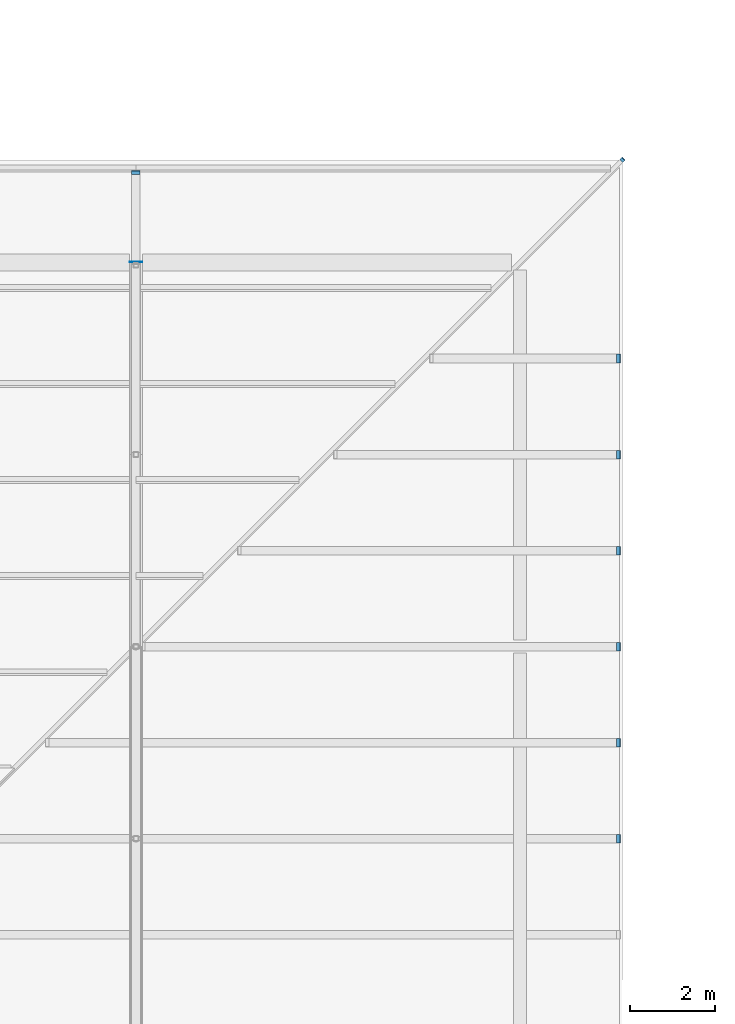
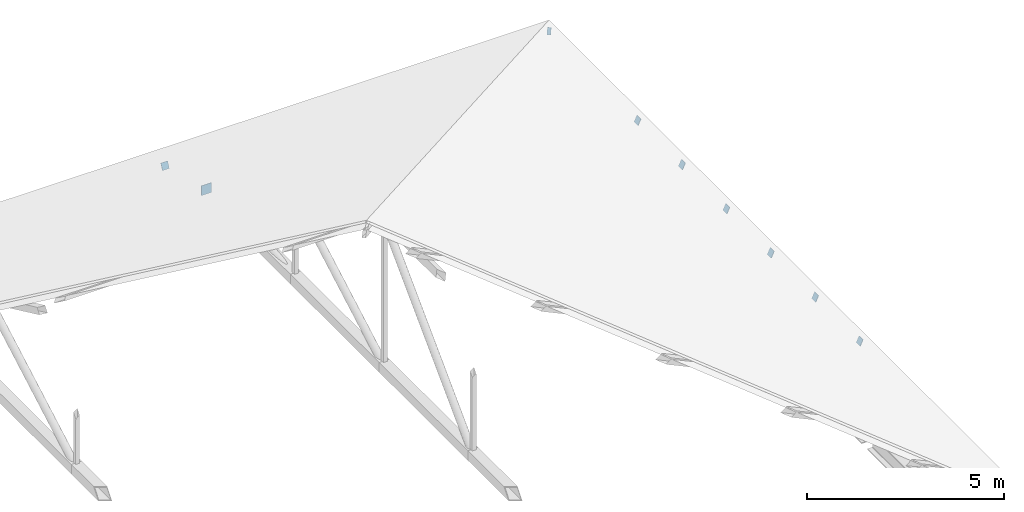
# One storey, part 135 of 154: 9 discrete accessories.
"""IFC4 building model written with IfcOpenShell, lengths in metres."""

from ifc_helpers import new_model, si_unit, direction, frame, origin, origin_2d, place, context, subcontext, project, spatial, rectangle, extrude, material, material_profile, profile_set, type_object, element, save


model = new_model("IFC4")

# Units and contexts
model_context = context("Model", 3, precision=1e-05, world=origin(), true_north=direction((0.0, 1.0)))
body_context = subcontext(model_context, "Body", "Model", "MODEL_VIEW")
ifc_project = project(units=[si_unit("LENGTHUNIT", "METRE"), si_unit("AREAUNIT", "SQUARE_METRE"), si_unit("VOLUMEUNIT", "CUBIC_METRE"), si_unit("PLANEANGLEUNIT", "RADIAN"), si_unit("MASSUNIT", "GRAM", prefix="KILO")], contexts=[model_context])

# Site, building, storey
site_placement = place(None, origin())
site = spatial("IfcSite", under=ifc_project, at=site_placement, CompositionType="ELEMENT")
building_placement = place(site_placement, origin())
building = spatial("IfcBuilding", under=site, at=building_placement, Name="Golden Quay Civic Hall", CompositionType="ELEMENT")
storey_placement = place(building_placement, frame((0.0, 0.0, 14.39990234375)))
storey = spatial("IfcBuildingStorey", under=building, at=storey_placement, Name="L03", CompositionType="ELEMENT", Elevation=14.39990234375)

# Discrete accessories
ifc_material_1 = material(Name="Steel S355", Category="steel")
ifc_material_profile_1 = material_profile(ifc_material_1, rectangle(XDim=0.10009765625, YDim=0.199951171875, at=origin_2d()), Name="Steel end cap plate 100x200x16")
ifc_profile_set_1 = profile_set([ifc_material_profile_1], Name="Steel S355")
discrete_accessory_type_1 = type_object("IfcDiscreteAccessoryType", Name="Steel end cap plate 100x200x16", PredefinedType="BRACKET", material=ifc_profile_set_1)
discrete_accessory_1_placement = place(storey_placement, frame((173.39990234375, 101.39990234375, -0.663818359375), z_axis=(0.669981710718, 0.669981710718, -0.319763998297), x_axis=(-0.707106781187, 0.707106781187, 0.0)))
element("IfcDiscreteAccessory", 1, at=discrete_accessory_1_placement, inside=storey, type_object=discrete_accessory_type_1, Name="End cap hip rafter north-east", PredefinedType="BRACKET", context=body_context, shape_type="SweptSolid", body=[
    extrude(rectangle(XDim=0.10009765625, YDim=0.199951171875, at=origin_2d()), origin(), (0.0, 0.0, 1.0), 0.01611328125),
])
ifc_material_2 = material(Name="Steel S355", Category="steel")
ifc_material_profile_2 = material_profile(ifc_material_2, rectangle(XDim=0.199951171875, YDim=0.199951171875, at=origin_2d()), Name="Steel end cap plate 200x200x16")
ifc_profile_set_2 = profile_set([ifc_material_profile_2], Name="Steel S355")
discrete_accessory_type_2 = type_object("IfcDiscreteAccessoryType", Name="Steel end cap plate 200x200x16", PredefinedType="BRACKET", material=ifc_profile_set_2)
for number, where, z_axis, x_axis, name in (
    (2, (162.0, 101.10009765625, -0.651123046875), (0.0, 0.90342581024, -0.428744452317), (-1.0, 0.0, 0.0), "End cap truss 162 top chord 10"),
    (3, (173.300048828125, 85.5, -0.56787109375), (0.90342581024, 0.0, -0.428744452317), (0.0, 1.0, 0.0), "End cap jack rafter east 10"),
    (4, (173.300048828125, 87.75, -0.56787109375), (0.90342581024, 0.0, -0.428744452317), (0.0, 1.0, 0.0), "End cap jack rafter east 11"),
    (5, (173.300048828125, 90.0, -0.56787109375), (0.90342581024, 0.0, -0.428744452317), (0.0, 1.0, 0.0), "End cap jack rafter east 12"),
    (6, (173.300048828125, 92.25, -0.56787109375), (0.90342581024, 0.0, -0.428744452317), (0.0, 1.0, 0.0), "End cap jack rafter east 13"),
    (7, (173.300048828125, 94.5, -0.56787109375), (0.90342581024, 0.0, -0.428744452317), (0.0, 1.0, 0.0), "End cap jack rafter east 14"),
    (8, (173.300048828125, 96.75, -0.56787109375), (0.90342581024, 0.0, -0.428744452317), (0.0, 1.0, 0.0), "End cap jack rafter east 15"),
):
    element("IfcDiscreteAccessory", number, at=place(storey_placement, frame(where, z_axis=z_axis, x_axis=x_axis)), inside=storey, type_object=discrete_accessory_type_2, Name=name, PredefinedType="BRACKET", context=body_context, shape_type="SweptSolid", body=[
        extrude(rectangle(XDim=0.199951171875, YDim=0.199951171875, at=origin_2d()), origin(), (0.0, 0.0, 1.0), 0.015869140625),
    ])
ifc_material_3 = material(Name="Steel S355", Category="steel")
ifc_material_profile_3 = material_profile(ifc_material_3, rectangle(XDim=0.300048828125, YDim=0.300048828125, at=origin_2d()), Name="Steel end cap plate 300x300x16")
ifc_profile_set_3 = profile_set([ifc_material_profile_3], Name="Steel S355")
discrete_accessory_type_3 = type_object("IfcDiscreteAccessoryType", Name="Steel end cap plate 300x300x16", PredefinedType="BRACKET", material=ifc_profile_set_3)
discrete_accessory_2_placement = place(storey_placement, frame((162.0, 99.0, -0.099853515625), z_axis=(0.0, 1.0, 0.0), x_axis=(-1.0, 0.0, 0.0)))
element("IfcDiscreteAccessory", 9, at=discrete_accessory_2_placement, inside=storey, type_object=discrete_accessory_type_3, Name="End cap truss 162 bottom chord 8", PredefinedType="BRACKET", context=body_context, shape_type="SweptSolid", body=[
    extrude(rectangle(XDim=0.300048828125, YDim=0.300048828125, at=origin_2d()), origin(), (0.0, 0.0, 1.0), 0.01611328125),
])

save(model, "model.ifc")
